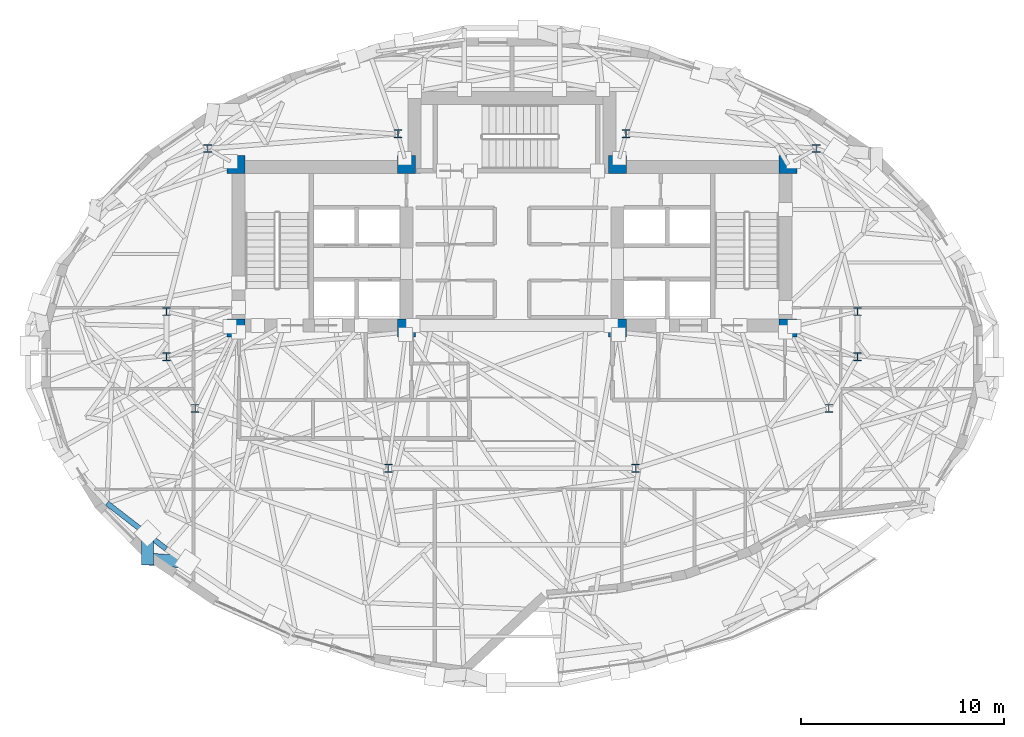
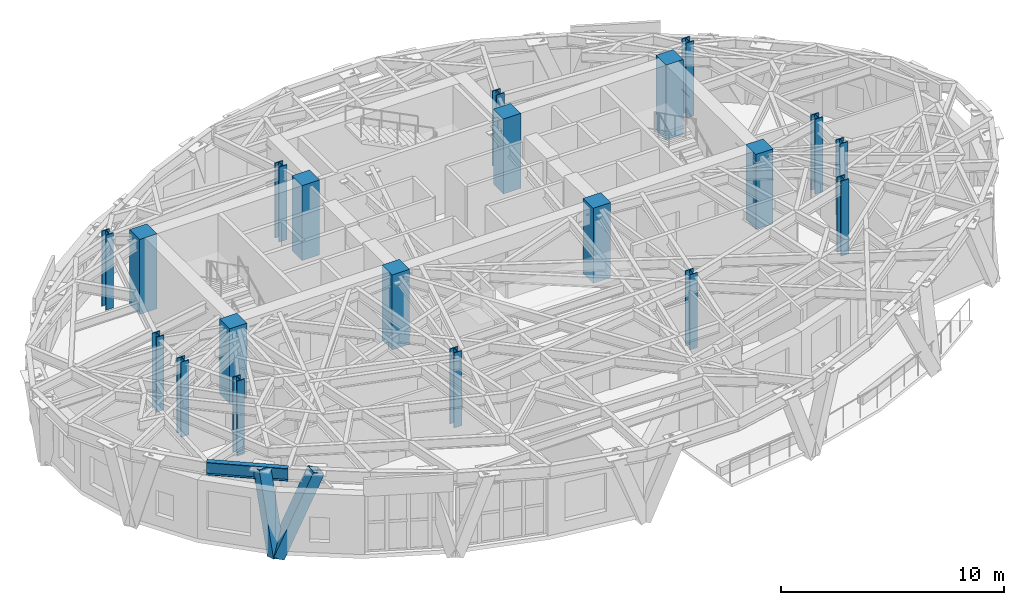
# One storey, part 1 of 15: 20 columns, 2 members, 1 beam.
"""IFC4 building model written with IfcOpenShell, lengths in metres."""

from ifc_helpers import new_model, si_unit, direction, frame, origin, origin_2d, place, context, subcontext, project, spatial, rectangle, hollow_rectangle, i_section, extrude, material, material_profile, profile_set, type_object, element, save


model = new_model("IFC4")

# Units and contexts
model_context = context("Model", 3, precision=1e-05, world=origin(), true_north=direction((0.0, 1.0)))
body_context = subcontext(model_context, "Body", "Model", "MODEL_VIEW")
ifc_project = project(units=[si_unit("LENGTHUNIT", "METRE"), si_unit("AREAUNIT", "SQUARE_METRE"), si_unit("VOLUMEUNIT", "CUBIC_METRE"), si_unit("PLANEANGLEUNIT", "RADIAN"), si_unit("MASSUNIT", "GRAM", prefix="KILO")], contexts=[model_context])

# Site, building, storey
site_placement = place(None, origin())
site = spatial("IfcSite", under=ifc_project, at=site_placement, CompositionType="ELEMENT")
building_placement = place(site_placement, origin())
building = spatial("IfcBuilding", under=site, at=building_placement, Name="Keldmark Tower", CompositionType="ELEMENT")
storey_placement = place(building_placement, frame((0.0, 0.0, 205.89990234375)))
storey = spatial("IfcBuildingStorey", under=building, at=storey_placement, Name="L57", CompositionType="ELEMENT", Elevation=205.89990234375)

# Columns
ifc_material_1 = material(Name="Concrete C50/60", Category="concrete")
ifc_material_profile_1 = material_profile(ifc_material_1, rectangle(XDim=0.89990234375, YDim=0.89990234375, at=origin_2d()), Name="RC900X900")
ifc_profile_set_1 = profile_set([ifc_material_profile_1], Name="Concrete C50/60")
column_type_1 = type_object("IfcColumnType", Name="Core Boundary Column RC900", PredefinedType="COLUMN", material=ifc_profile_set_1)
for number, where, z_axis, x_axis, name in (
    (1, (-13.60009765625, 1.39990234375, 0.0), (0.0, 0.0, 1.0), (1.0, 0.0, 0.0), "L57 Core Boundary Column CC-W1"),
    (2, (-13.60009765625, 9.449951171875, 0.0), (0.0, 0.0, 1.0), (1.0, 0.0, 0.0), "L57 Core Boundary Column CC-W2"),
    (3, (-5.199951171875, 1.39990234375, 0.0), (0.0, 0.0, 1.0), (1.0, 0.0, 0.0), "L57 Core Boundary Column CC-W3"),
    (4, (-5.199951171875, 9.449951171875, 0.0), (0.0, 0.0, 1.0), (1.0, 0.0, 0.0), "L57 Core Boundary Column CC-W4"),
    (5, (5.199951171875, 1.39990234375, 0.0), (0.0, 0.0, 1.0), (1.0, 0.0, 0.0), "L57 Core Boundary Column CC-E1"),
    (6, (5.199951171875, 9.449951171875, 0.0), (0.0, 0.0, 1.0), (1.0, 0.0, 0.0), "L57 Core Boundary Column CC-E2"),
    (7, (13.60009765625, 1.39990234375, 0.0), (0.0, 0.0, 1.0), (1.0, 0.0, 0.0), "L57 Core Boundary Column CC-E3"),
    (8, (13.60009765625, 9.449951171875, 0.0), (0.0, 0.0, 1.0), (1.0, 0.0, 0.0), "L57 Core Boundary Column CC-E4"),
):
    element("IfcColumn", number, at=place(storey_placement, frame(where, z_axis=z_axis, x_axis=x_axis)), inside=storey, type_object=column_type_1, Name=name, PredefinedType="COLUMN", context=body_context, shape_type="SweptSolid", body=[
        extrude(rectangle(XDim=0.89990234375, YDim=0.89990234375, at=origin_2d()), origin(), (0.0, 0.0, 1.0), 4.10009765625),
    ])
ifc_material_2 = material(Name="Steel ASTM A992 Grade 50", Category="steel")
ifc_material_profile_2 = material_profile(ifc_material_2, i_section(OverallWidth=0.404052734375, OverallDepth=0.406982421875, WebThickness=0.027099609375, FlangeThickness=0.043701171875, at=origin_2d()), Name="W14X233")
ifc_profile_set_2 = profile_set([ifc_material_profile_2], Name="Steel ASTM A992 Grade 50")
column_type_2 = type_object("IfcColumnType", Name="Tower Gravity Column W14X233", PredefinedType="COLUMN", material=ifc_profile_set_2)
for number, where, z_axis, x_axis, name in (
    (9, (17.025634765625, 2.2080078125, 0.0), (0.0, 0.0, 1.0), (1.0, 0.0, 0.0), "L57 Tower Gravity Column TC-E1"),
    (10, (14.995849609375, 10.24365234375, 0.0), (0.0, 0.0, 1.0), (1.0, 0.0, 0.0), "L57 Tower Gravity Column TC-E4"),
    (11, (5.61865234375, 10.967041015625, 0.0), (0.0, 0.0, 1.0), (1.0, 0.0, 0.0), "L57 Tower Gravity Column TC-N2"),
    (12, (-5.61865234375, 10.967041015625, 0.0), (0.0, 0.0, 1.0), (1.0, 0.0, 0.0), "L57 Tower Gravity Column TC-N1"),
    (13, (-14.995849609375, 10.24365234375, 0.0), (0.0, 0.0, 1.0), (1.0, 0.0, 0.0), "L57 Tower Gravity Column TC-W4"),
    (14, (-17.025634765625, 2.2080078125, 0.0), (0.0, 0.0, 1.0), (1.0, 0.0, 0.0), "L57 Tower Gravity Column TC-W1"),
    (15, (-17.025634765625, -0.02392578125, 0.0), (0.0, 0.0, 1.0), (1.0, 0.0, 0.0), "L57 Tower Gravity Column TC-W5"),
    (16, (-15.6162109375, -2.5673828125, 0.0), (0.0, 0.0, 1.0), (1.0, 0.0, 0.0), "L57 Tower Gravity Column TC-W2"),
    (17, (-6.089599609375, -5.512939453125, 0.0), (0.0, 0.0, 1.0), (1.0, 0.0, 0.0), "L57 Tower Gravity Column TC-W3"),
    (18, (6.089599609375, -5.512939453125, 0.0), (0.0, 0.0, 1.0), (1.0, 0.0, 0.0), "L57 Tower Gravity Column TC-E3"),
    (19, (15.6162109375, -2.5673828125, 0.0), (0.0, 0.0, 1.0), (1.0, 0.0, 0.0), "L57 Tower Gravity Column TC-E2"),
    (20, (17.025634765625, -0.02392578125, 0.0), (0.0, 0.0, 1.0), (1.0, 0.0, 0.0), "L57 Tower Gravity Column TC-E5"),
):
    element("IfcColumn", number, at=place(storey_placement, frame(where, z_axis=z_axis, x_axis=x_axis)), inside=storey, type_object=column_type_2, Name=name, PredefinedType="COLUMN", context=body_context, shape_type="SweptSolid", body=[
        extrude(i_section(OverallWidth=0.404052734375, OverallDepth=0.406982421875, WebThickness=0.027099609375, FlangeThickness=0.043701171875, at=origin_2d()), origin(), (0.0, 0.0, 1.0), 4.10009765625),
    ])

# Members
ifc_material_3 = material(Name="Steel ASTM A572 Grade 50", Category="steel")
ifc_material_profile_3 = material_profile(ifc_material_3, hollow_rectangle(XDim=0.60009765625, YDim=0.60009765625, WallThickness=0.034912109375, at=origin_2d()), Name="BOX600X600X35")
ifc_profile_set_3 = profile_set([ifc_material_profile_3], Name="Steel ASTM A572 Grade 50")
member_type = type_object("IfcMemberType", Name="Diagrid Zone 4 Brace BOX600X600X35", PredefinedType="BRACE", material=ifc_profile_set_3)
member_1_placement = place(storey_placement, frame((-17.958251953125, -9.9951171875, -0.2998046875), z_axis=(-0.001193187377, 0.299319576185, 0.954152172149), x_axis=(-0.999992054671, -0.003986300901, 0.0)))
element("IfcMember", 21, at=member_1_placement, inside=storey, type_object=member_type, Name="L57 Perimeter Diagrid Brace 10A", PredefinedType="BRACE", context=body_context, shape_type="SweptSolid", body=[
    extrude(hollow_rectangle(XDim=0.60009765625, YDim=0.60009765625, WallThickness=0.034912109375, at=origin_2d()), origin(), (0.0, 0.0, 1.0), 4.296875),
])
member_2_placement = place(storey_placement, frame((-17.964599609375, -9.9853515625, -0.2998046875), z_axis=(0.435452095061, -0.034176213144, 0.89956292685), x_axis=(0.078243824961, 0.996934252524, 0.0)))
element("IfcMember", 22, at=member_2_placement, inside=storey, type_object=member_type, Name="L57 Perimeter Diagrid Brace 10B", PredefinedType="BRACE", context=body_context, shape_type="SweptSolid", body=[
    extrude(hollow_rectangle(XDim=0.60009765625, YDim=0.60009765625, WallThickness=0.034912109375, at=origin_2d()), origin(), (0.0, 0.0, 1.0), 4.5576171875),
])

# Beam
ifc_material_4 = material(Name="Steel ASTM A992 Grade 50", Category="steel")
ifc_material_profile_4 = material_profile(ifc_material_4, i_section(OverallWidth=0.256103515625, OverallDepth=0.693115234375, WebThickness=0.014404296875, FlangeThickness=0.023681640625, at=origin_2d()), Name="W27X114")
ifc_profile_set_4 = profile_set([ifc_material_profile_4], Name="Steel ASTM A992 Grade 50")
beam_type = type_object("IfcBeamType", Name="Spandrel Ring Beam W27X114", PredefinedType="SPANDREL", material=ifc_profile_set_4)
beam_placement = place(storey_placement, frame((-19.9580078125, -7.235595703125, 3.573486328125), z_axis=(0.791048705713, -0.611753173421, 0.0), x_axis=(0.611753173421, 0.791048705713, 0.0)))
element("IfcBeam", 23, at=beam_placement, inside=storey, type_object=beam_type, Name="L57 Perimeter Spandrel Ring Beam SRB-19", PredefinedType="SPANDREL", context=body_context, shape_type="SweptSolid", body=[
    extrude(i_section(OverallWidth=0.256103515625, OverallDepth=0.693115234375, WebThickness=0.014404296875, FlangeThickness=0.023681640625, at=origin_2d()), origin(), (0.0, 0.0, 1.0), 3.681884765625),
])

save(model, "model.ifc")
